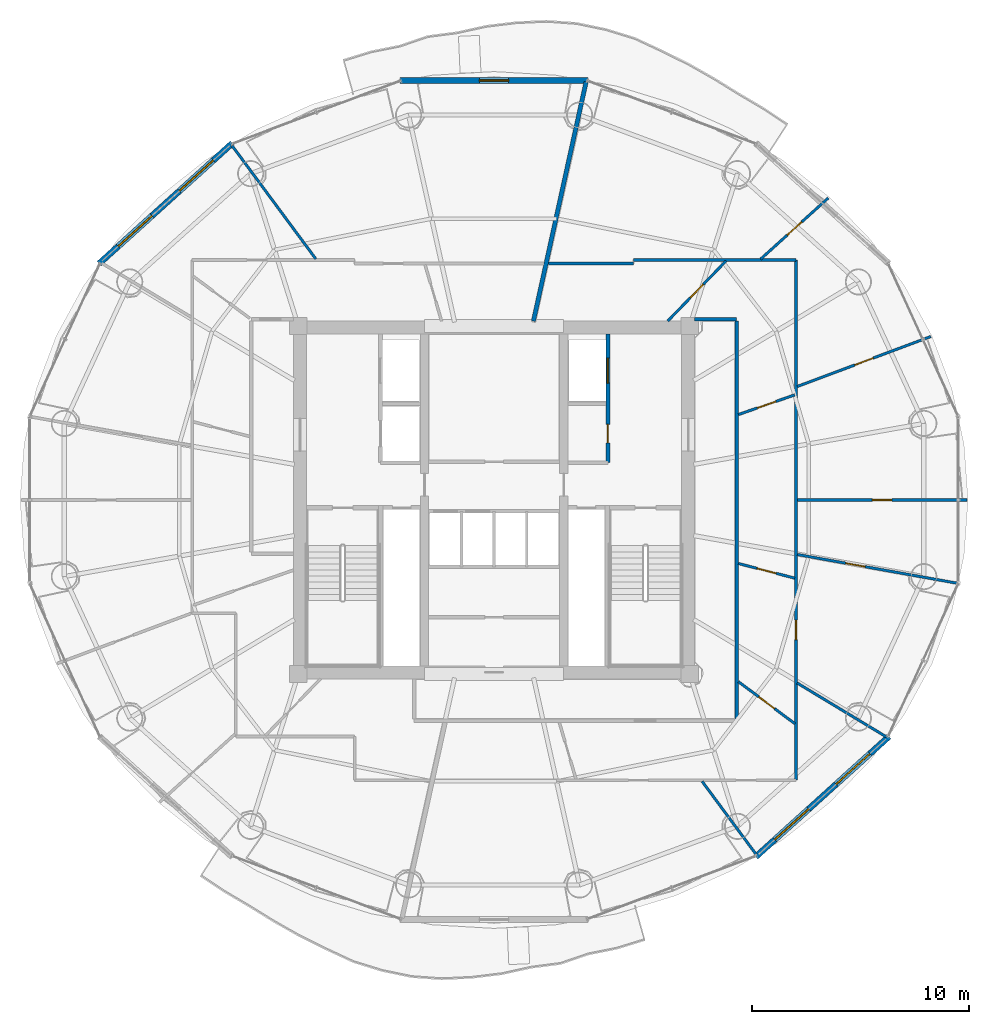
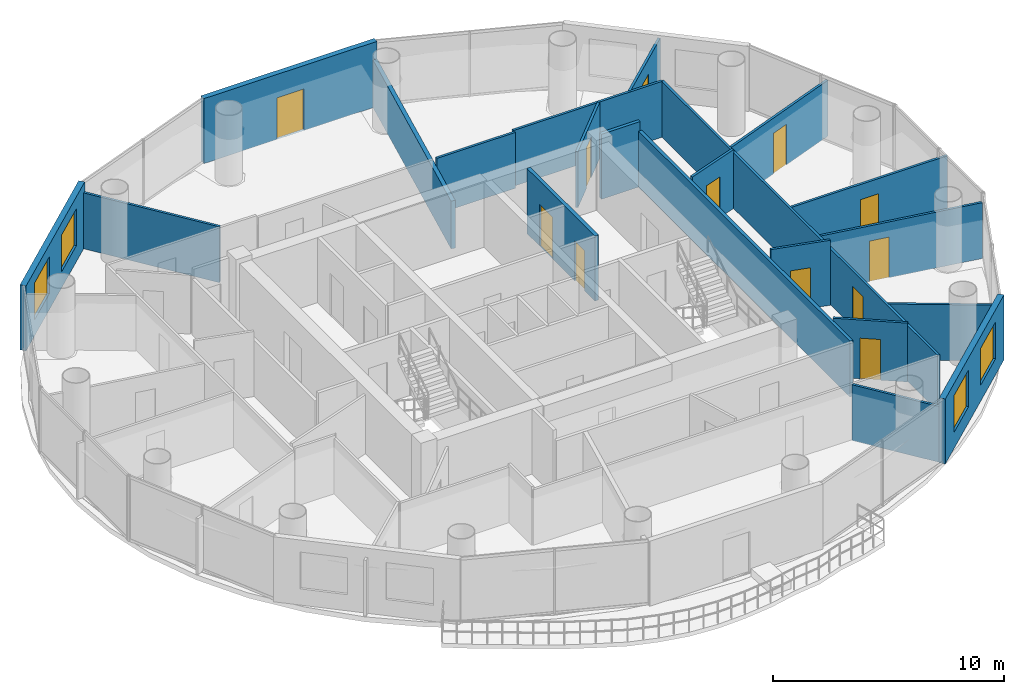
# One storey, part 22 of 26: 21 walls, 12 doors, 4 windows, 16 openings.
"""IFC4 building model written with IfcOpenShell, lengths in metres."""

from ifc_helpers import new_model, si_unit, direction, frame, frame_2d, origin, place, context, subcontext, project, spatial, rectangle, extrude, source, transform, mapped, material, layer, layer_set, type_object, element, fill, save


model = new_model("IFC4")

# Units and contexts
model_context = context("Model", 3, precision=1e-05, world=origin(), true_north=direction((-0.2419218956, 0.970295726276)))
body_context = subcontext(model_context, "Body", "Model", "MODEL_VIEW")
ifc_project = project(units=[si_unit("LENGTHUNIT", "METRE"), si_unit("AREAUNIT", "SQUARE_METRE"), si_unit("VOLUMEUNIT", "CUBIC_METRE"), si_unit("PLANEANGLEUNIT", "RADIAN"), si_unit("MASSUNIT", "GRAM", prefix="KILO")], contexts=[model_context])

# Site, building, storey
site_placement = place(None, origin())
site = spatial("IfcSite", under=ifc_project, at=site_placement, CompositionType="ELEMENT")
building_placement = place(site_placement, origin())
building = spatial("IfcBuilding", under=site, at=building_placement, Name="Cobrevalo Terracotta Tower", CompositionType="ELEMENT")
storey_placement = place(building_placement, frame((0.0, 0.0, 224.5)))
storey = spatial("IfcBuildingStorey", under=building, at=storey_placement, Name="L59", CompositionType="ELEMENT", Elevation=224.5)

# Walls
ifc_material_1 = material(Name="Gypsum board on steel stud", Category="steel")
ifc_layer_1 = layer(ifc_material_1, 0.159912109375)
ifc_layer_set_1 = layer_set([ifc_layer_1], Name="Gypsum board on steel stud")
wall_type_1 = type_object("IfcWallType", Name="Fire-rated corridor acoustic partition wall 160 mm", PredefinedType="PARTITIONING", material=ifc_layer_set_1)
wall_1_placement = place(storey_placement, frame((49.155029296875, 16.72509765625, 0.0), z_axis=(0.0, 0.0, 1.0), x_axis=(0.0, 1.0, 0.0)))
element("IfcWall", 1, at=wall_1_placement, inside=storey, type_object=wall_type_1, Name="L59 interior partition IW-L59-COR-E", PredefinedType="PARTITIONING", context=body_context, shape_type="SweptSolid", body=[
    extrude(rectangle(XDim=18.2998046875, YDim=0.159912109375, at=frame_2d((9.14990234375, 0.0))), origin(), (0.0, 0.0, 1.0), 2.950927734375),
])
wall_2_placement = place(storey_placement, frame((47.22509765625, 35.10498046875, 0.0), z_axis=(0.0, 0.0, 1.0), x_axis=(1.0, 0.0, 0.0)))
element("IfcWall", 2, at=wall_2_placement, inside=storey, type_object=wall_type_1, Name="L59 interior partition IW-L59-COR-EN-CAP", PredefinedType="PARTITIONING", context=body_context, shape_type="SweptSolid", body=[
    extrude(rectangle(XDim=1.929931640625, YDim=0.159912109375, at=frame_2d((0.96484375, 0.0))), origin(), (0.0, 0.0, 1.0), 3.43505859375),
])

# Wall, openings, doors
ifc_layer_2 = layer(ifc_material_1, 0.179931640625)
ifc_layer_set_2 = layer_set([ifc_layer_2], Name="Gypsum board on steel stud")
wall_type_2 = type_object("IfcWallType", Name="Fire-rated shaft & lobby acoustic partition wall 180 mm", PredefinedType="PARTITIONING", material=ifc_layer_set_2)
wall_3_placement = place(storey_placement, frame((43.22998046875, 28.52001953125, 0.0), z_axis=(0.0, 0.0, 1.0), x_axis=(0.0, 1.0, 0.0)))
wall_3 = element("IfcWall", 3, at=wall_3_placement, inside=storey, type_object=wall_type_2, Name="L59 interior partition IW-L59-FF2-E", PredefinedType="PARTITIONING", context=body_context, shape_type="SweptSolid", body=[
    extrude(rectangle(XDim=5.905029296875, YDim=0.179931640625, at=frame_2d((2.95263671875, 0.0))), origin(), (0.0, 0.0, 1.0), 3.43505859375),
])
opening_1_placement = place(wall_3_placement, frame((0.905029296875, 0.0, 0.0)))
opening_1 = element("IfcOpeningElement", 4, at=opening_1_placement, cuts=wall_3, Name="Opening ID-22", PredefinedType="OPENING", context=body_context, shape_type="SweptSolid", body=[
    extrude(rectangle(XDim=0.85009765625, YDim=2.10009765625, at=frame_2d((0.425048828125, 1.050048828125))), frame((0.0, 0.10009765625, 0.0), z_axis=(0.0, -1.0, 0.0), x_axis=(1.0, 0.0, 0.0)), (0.0, 0.0, 1.0), 0.199951171875),
])
opening_2_placement = place(wall_3_placement, frame((3.655029296875, 0.0, 0.0)))
opening_2 = element("IfcOpeningElement", 5, at=opening_2_placement, cuts=wall_3, Name="Opening LD-02", PredefinedType="OPENING", context=body_context, shape_type="SweptSolid", body=[
    extrude(rectangle(XDim=1.14990234375, YDim=2.199951171875, at=frame_2d((0.574951171875, 1.10009765625))), frame((0.0, 0.10009765625, 0.0), z_axis=(0.0, -1.0, 0.0), x_axis=(1.0, 0.0, 0.0)), (0.0, 0.0, 1.0), 0.199951171875),
])
ifc_material_2 = material(Name="Powder-coated steel", Category="steel")
door_type_1 = type_object("IfcDoorType", Name="Riser shaft & meter closet fire access door 850x2100 EI 60", OperationType="NOTDEFINED", PredefinedType="DOOR", material=ifc_material_2)
shared_shape_1 = source(origin(), body_context, "Body", "SweptSolid", [
    extrude(rectangle(XDim=0.85009765625, YDim=2.10009765625, at=frame_2d((0.425048828125, 1.050048828125))), frame((0.0, 0.02490234375, 0.0), z_axis=(0.0, -1.0, 0.0), x_axis=(1.0, 0.0, 0.0)), (0.0, 0.0, 1.0), 0.050048828125),
])
door_1_placement = place(opening_1_placement, frame((0.85009765625, 0.0, 0.0), z_axis=(0.0, 0.0, 1.0), x_axis=(-1.0, 0.0, 0.0)))
door_1 = element("IfcDoor", 6, at=door_1_placement, inside=storey, type_object=door_type_1, Name="L59 housekeeping store door", OperationType="SINGLE_SWING_RIGHT", OverallHeight=2.10009765625, OverallWidth=0.85009765625, PredefinedType="DOOR", context=body_context, shape_type="MappedRepresentation", body=[
    mapped(shared_shape_1, transform((0.0, 0.0, 0.0), scale=1.0)),
])
fill(opening_1, door_1)
ifc_material_3 = material(Name="Brushed stainless steel", Category="steel")
door_type_2 = type_object("IfcDoorType", Name="Firefighting lift landing bi-parting sliding door 1150x2200 EI 120", OperationType="DOUBLE_DOOR_SLIDING", PredefinedType="DOOR", material=ifc_material_3)
shared_shape_2 = source(origin(), body_context, "Body", "SweptSolid", [
    extrude(rectangle(XDim=1.14990234375, YDim=2.199951171875, at=frame_2d((0.574951171875, 1.10009765625))), frame((0.0, 0.02490234375, 0.0), z_axis=(0.0, -1.0, 0.0), x_axis=(1.0, 0.0, 0.0)), (0.0, 0.0, 1.0), 0.050048828125),
])
door_2_placement = place(opening_2_placement, origin())
door_2 = element("IfcDoor", 7, at=door_2_placement, inside=storey, type_object=door_type_2, Name="L59 lift landing door FF-2", OperationType="DOUBLE_DOOR_SLIDING", OverallHeight=2.199951171875, OverallWidth=1.14990234375, PredefinedType="DOOR", context=body_context, shape_type="MappedRepresentation", body=[
    mapped(shared_shape_2, transform((0.0, 0.0, 0.0), scale=1.0)),
])
fill(opening_2, door_2)

# Wall
ifc_material_4 = material(Name="Autoclaved aerated concrete block", Category="concrete")
ifc_layer_3 = layer(ifc_material_4, 0.199951171875)
ifc_layer_set_3 = layer_set([ifc_layer_3], Name="Autoclaved aerated concrete block")
wall_type_3 = type_object("IfcWallType", Name="Fire-rated stair, shaft & demising masonry wall 200 mm", PredefinedType="PARTITIONING", material=ifc_layer_set_3)
wall_4_placement = place(storey_placement, frame((39.810791015625, 35.02685546875, 0.0), z_axis=(0.0, 0.0, 1.0), x_axis=(0.214966857327, 0.976621344356, 0.0)))
element("IfcWall", 8, at=wall_4_placement, inside=storey, type_object=wall_type_3, Name="L59 interior partition IW-L59-DEM-1", PredefinedType="PARTITIONING", context=body_context, shape_type="SweptSolid", body=[
    extrude(rectangle(XDim=11.25830078125, YDim=0.199951171875, at=frame_2d((5.629150390625, 0.0))), origin(), (0.0, 0.0, 1.0), 2.52001953125),
])

# Wall, openings, windows
ifc_layer_4 = layer(ifc_material_4, 0.280029296875)
ifc_layer_set_4 = layer_set([ifc_layer_4], Name="Autoclaved aerated concrete block")
wall_type_4 = type_object("IfcWallType", Name="Insulated tower spandrel & pier wall 280 mm with terracotta rainscreen", PredefinedType="SOLIDWALL", material=ifc_layer_set_4)
wall_5_placement = place(storey_placement, frame((25.964599609375, 43.208740234375, 0.0), z_axis=(0.0, 0.0, 1.0), x_axis=(-0.741972126783, -0.670430729514, 0.0)))
wall_5 = element("IfcWall", 9, at=wall_5_placement, inside=storey, type_object=wall_type_4, Name="L59 terracotta rainscreen pier wall S06", PredefinedType="SOLIDWALL", context=body_context, shape_type="SweptSolid", body=[
    extrude(rectangle(XDim=8.255126953125, YDim=0.280029296875, at=frame_2d((4.12744140625, 0.0))), origin(), (0.0, 0.0, 1.0), 3.43505859375),
])
opening_3_placement = place(wall_5_placement, frame((1.1787109375, 0.0, 0.85009765625)))
opening_3 = element("IfcOpeningElement", 10, at=opening_3_placement, cuts=wall_5, Name="Opening WN-10", PredefinedType="OPENING", context=body_context, shape_type="SweptSolid", body=[
    extrude(rectangle(XDim=2.10009765625, YDim=1.949951171875, at=frame_2d((1.050048828125, 0.97509765625))), frame((0.0, 0.14990234375, 0.0), z_axis=(0.0, -1.0, 0.0), x_axis=(1.0, 0.0, 0.0)), (0.0, 0.0, 1.0), 0.300048828125),
])
opening_4_placement = place(wall_5_placement, frame((4.97607421875, 0.0, 0.85009765625)))
opening_4 = element("IfcOpeningElement", 11, at=opening_4_placement, cuts=wall_5, Name="Opening WN-10", PredefinedType="OPENING", context=body_context, shape_type="SweptSolid", body=[
    extrude(rectangle(XDim=2.10009765625, YDim=1.949951171875, at=frame_2d((1.050048828125, 0.97509765625))), frame((0.0, 0.14990234375, 0.0), z_axis=(0.0, -1.0, 0.0), x_axis=(1.0, 0.0, 0.0)), (0.0, 0.0, 1.0), 0.300048828125),
])
ifc_material_5 = material(Name="Solar-control low-E double glazing", Category="glass")
window_type = type_object("IfcWindowType", Name="Wide panoramic low-E aluminium window 2100x1950", PartitioningType="SINGLE_PANEL", PredefinedType="WINDOW", material=ifc_material_5)
shared_shape_3 = source(origin(), body_context, "Body", "SweptSolid", [
    extrude(rectangle(XDim=2.10009765625, YDim=1.949951171875, at=frame_2d((1.050048828125, 0.97509765625))), frame((0.0, 0.030029296875, 0.0), z_axis=(0.0, -1.0, 0.0), x_axis=(1.0, 0.0, 0.0)), (0.0, 0.0, 1.0), 0.06005859375),
])
window_1_placement = place(opening_3_placement, origin())
window_1 = element("IfcWindow", 12, at=window_1_placement, inside=storey, type_object=window_type, Name="L59 suite window S06A", OverallHeight=1.949951171875, OverallWidth=2.10009765625, PartitioningType="SINGLE_PANEL", PredefinedType="WINDOW", context=body_context, shape_type="MappedRepresentation", body=[
    mapped(shared_shape_3, transform((0.0, 0.0, 0.0), scale=1.0)),
])
fill(opening_3, window_1)
window_2_placement = place(opening_4_placement, origin())
window_2 = element("IfcWindow", 13, at=window_2_placement, inside=storey, type_object=window_type, Name="L59 suite window S06B", OverallHeight=1.949951171875, OverallWidth=2.10009765625, PartitioningType="SINGLE_PANEL", PredefinedType="WINDOW", context=body_context, shape_type="MappedRepresentation", body=[
    mapped(shared_shape_3, transform((0.0, 0.0, 0.0), scale=1.0)),
])
fill(opening_4, window_2)

wall_6_placement = place(storey_placement, frame((50.035400390625, 10.391357421875, 0.0), z_axis=(0.0, 0.0, 1.0), x_axis=(0.741986838603, 0.670414447443, 0.0)))
wall_6 = element("IfcWall", 14, at=wall_6_placement, inside=storey, type_object=wall_type_4, Name="L59 terracotta rainscreen pier wall S14", PredefinedType="SOLIDWALL", context=body_context, shape_type="SweptSolid", body=[
    extrude(rectangle(XDim=8.2548828125, YDim=0.280029296875, at=frame_2d((4.12744140625, 0.0))), origin(), (0.0, 0.0, 1.0), 3.43505859375),
])
opening_5_placement = place(wall_6_placement, frame((1.1787109375, 0.0, 0.85009765625)))
opening_5 = element("IfcOpeningElement", 15, at=opening_5_placement, cuts=wall_6, Name="Opening WN-10", PredefinedType="OPENING", context=body_context, shape_type="SweptSolid", body=[
    extrude(rectangle(XDim=2.10009765625, YDim=1.949951171875, at=frame_2d((1.050048828125, 0.97509765625))), frame((0.0, 0.14990234375, 0.0), z_axis=(0.0, -1.0, 0.0), x_axis=(1.0, 0.0, 0.0)), (0.0, 0.0, 1.0), 0.300048828125),
])
opening_6_placement = place(wall_6_placement, frame((4.97607421875, 0.0, 0.85009765625)))
opening_6 = element("IfcOpeningElement", 16, at=opening_6_placement, cuts=wall_6, Name="Opening WN-10", PredefinedType="OPENING", context=body_context, shape_type="SweptSolid", body=[
    extrude(rectangle(XDim=2.10009765625, YDim=1.949951171875, at=frame_2d((1.050048828125, 0.97509765625))), frame((0.0, 0.14990234375, 0.0), z_axis=(0.0, -1.0, 0.0), x_axis=(1.0, 0.0, 0.0)), (0.0, 0.0, 1.0), 0.300048828125),
])
window_3_placement = place(opening_5_placement, origin())
window_3 = element("IfcWindow", 17, at=window_3_placement, inside=storey, type_object=window_type, Name="L59 suite window S14A", OverallHeight=1.949951171875, OverallWidth=2.10009765625, PartitioningType="SINGLE_PANEL", PredefinedType="WINDOW", context=body_context, shape_type="MappedRepresentation", body=[
    mapped(shared_shape_3, transform((0.0, 0.0, 0.0), scale=1.0)),
])
fill(opening_5, window_3)
window_4_placement = place(opening_6_placement, origin())
window_4 = element("IfcWindow", 18, at=window_4_placement, inside=storey, type_object=window_type, Name="L59 suite window S14B", OverallHeight=1.949951171875, OverallWidth=2.10009765625, PartitioningType="SINGLE_PANEL", PredefinedType="WINDOW", context=body_context, shape_type="MappedRepresentation", body=[
    mapped(shared_shape_3, transform((0.0, 0.0, 0.0), scale=1.0)),
])
fill(opening_6, window_4)

# Wall, opening, door
ifc_layer_5 = layer(ifc_material_4, 0.260009765625)
ifc_layer_set_5 = layer_set([ifc_layer_5], Name="Autoclaved aerated concrete block")
wall_type_5 = type_object("IfcWallType", Name="Recessed balcony loggia insulated exterior wall 260 mm", PredefinedType="SOLIDWALL", material=ifc_layer_set_5)
wall_7_placement = place(storey_placement, frame((42.3271484375, 46.092041015625, 0.0), z_axis=(0.0, 0.0, 1.0), x_axis=(-1.0, 0.0, 0.0)))
wall_7 = element("IfcWall", 19, at=wall_7_placement, inside=storey, type_object=wall_type_5, Name="L59 balcony loggia wall S04", PredefinedType="SOLIDWALL", context=body_context, shape_type="SweptSolid", body=[
    extrude(rectangle(XDim=8.654296875, YDim=0.260009765625, at=frame_2d((4.3271484375, 0.0))), origin(), (0.0, 0.0, 1.0), 3.43505859375),
])
opening_7_placement = place(wall_7_placement, frame((3.652099609375, 0.0, 0.0)))
opening_7 = element("IfcOpeningElement", 20, at=opening_7_placement, cuts=wall_7, Name="Opening ED-05", PredefinedType="OPENING", context=body_context, shape_type="SweptSolid", body=[
    extrude(rectangle(XDim=1.35009765625, YDim=2.199951171875, at=frame_2d((0.675048828125, 1.10009765625))), frame((0.0, 0.14013671875, 0.0), z_axis=(0.0, -1.0, 0.0), x_axis=(1.0, 0.0, 0.0)), (0.0, 0.0, 1.0), 0.280029296875),
])
ifc_material_6 = material(Name="Anodized aluminium and laminated glass", Category="aluminium")
door_type_3 = type_object("IfcDoorType", Name="Suite balcony acoustic glazed terrace door 1350x2200", OperationType="NOTDEFINED", PredefinedType="DOOR", material=ifc_material_6)
shared_shape_4 = source(origin(), body_context, "Body", "SweptSolid", [
    extrude(rectangle(XDim=1.35009765625, YDim=2.199951171875, at=frame_2d((0.675048828125, 1.10009765625))), frame((0.0, 0.02490234375, 0.0), z_axis=(0.0, -1.0, 0.0), x_axis=(1.0, 0.0, 0.0)), (0.0, 0.0, 1.0), 0.050048828125),
])
door_3_placement = place(opening_7_placement, frame((1.35009765625, 0.0, 0.0), z_axis=(0.0, 0.0, 1.0), x_axis=(-1.0, 0.0, 0.0)))
door_3 = element("IfcDoor", 21, at=door_3_placement, inside=storey, type_object=door_type_3, Name="L59 glazed balcony terrace door 1", OperationType="SINGLE_SWING_LEFT", OverallHeight=2.199951171875, OverallWidth=1.35009765625, PredefinedType="DOOR", context=body_context, shape_type="MappedRepresentation", body=[
    mapped(shared_shape_4, transform((0.0, 0.0, 0.0), scale=1.0)),
])
fill(opening_7, door_3)

# Walls
ifc_layer_6 = layer(ifc_material_1, 0.1201171875)
ifc_layer_set_6 = layer_set([ifc_layer_6], Name="Gypsum board on steel stud")
wall_type_6 = type_object("IfcWallType", Name="Residential internal acoustic stud partition 120 mm", PredefinedType="PARTITIONING", material=ifc_layer_set_6)
wall_8_placement = place(storey_placement, frame((29.8037109375, 37.884765625, 0.0), z_axis=(0.0, 0.0, 1.0), x_axis=(-0.594507557292, 0.804090022524, 0.0)))
element("IfcWall", 22, at=wall_8_placement, inside=storey, type_object=wall_type_6, Name="L59 interior partition IW-L59-U1-ORAD1", PredefinedType="PARTITIONING", context=body_context, shape_type="SweptSolid", body=[
    extrude(rectangle(XDim=6.4814453125, YDim=0.1201171875, at=frame_2d((3.24072265625, 0.0))), origin(), (0.0, 0.0, 1.0), 2.950927734375),
])
wall_9_placement = place(storey_placement, frame((40.495849609375, 37.675048828125, 0.0), z_axis=(0.0, 0.0, 1.0), x_axis=(1.0, 0.0, 0.0)))
element("IfcWall", 23, at=wall_9_placement, inside=storey, type_object=wall_type_6, Name="L59 interior partition IW-L59-U2-RING0_0", PredefinedType="PARTITIONING", context=body_context, shape_type="SweptSolid", body=[
    extrude(rectangle(XDim=3.919189453125, YDim=0.1201171875, at=frame_2d((1.95947265625, 0.0))), origin(), (0.0, 0.0, 1.0), 2.950927734375),
])
wall_10_placement = place(storey_placement, frame((44.4150390625, 37.8349609375, 0.0), z_axis=(0.0, 0.0, 1.0), x_axis=(1.0, 0.0, 0.0)))
element("IfcWall", 24, at=wall_10_placement, inside=storey, type_object=wall_type_6, Name="L59 interior partition IW-L59-U2-RING2_0", PredefinedType="PARTITIONING", context=body_context, shape_type="SweptSolid", body=[
    extrude(rectangle(XDim=7.469970703125, YDim=0.1201171875, at=frame_2d((3.73486328125, 0.0))), origin(), (0.0, 0.0, 1.0), 2.950927734375),
])

# Wall, opening, door
wall_11_placement = place(storey_placement, frame((51.885009765625, 37.8349609375, 0.0), z_axis=(0.0, 0.0, 1.0), x_axis=(0.0, -1.0, 0.0)))
wall_11 = element("IfcWall", 25, at=wall_11_placement, inside=storey, type_object=wall_type_6, Name="L59 interior partition IW-L59-U2-RING3_0", PredefinedType="PARTITIONING", context=body_context, shape_type="SweptSolid", body=[
    extrude(rectangle(XDim=23.919921875, YDim=0.1201171875, at=frame_2d((11.9599609375, 0.0))), origin(), (0.0, 0.0, 1.0), 2.950927734375),
])
opening_8_placement = place(wall_11_placement, frame((16.55810546875, 0.0, 0.0)))
opening_8 = element("IfcOpeningElement", 26, at=opening_8_placement, cuts=wall_11, Name="Opening ID-12", PredefinedType="OPENING", context=body_context, shape_type="SweptSolid", body=[
    extrude(rectangle(XDim=0.89990234375, YDim=2.14990234375, at=frame_2d((0.449951171875, 1.074951171875))), frame((0.0, 0.070068359375, 0.0), z_axis=(0.0, -1.0, 0.0), x_axis=(1.0, 0.0, 0.0)), (0.0, 0.0, 1.0), 0.14013671875),
])
ifc_material_7 = material(Name="Engineered timber", Category="wood")
door_type_4 = type_object("IfcDoorType", Name="Internal residence & suite timber door 900x2150", OperationType="NOTDEFINED", PredefinedType="DOOR", material=ifc_material_7)
shared_shape_5 = source(origin(), body_context, "Body", "SweptSolid", [
    extrude(rectangle(XDim=0.89990234375, YDim=2.14990234375, at=frame_2d((0.449951171875, 1.074951171875))), frame((0.0, 0.02490234375, 0.0), z_axis=(0.0, -1.0, 0.0), x_axis=(1.0, 0.0, 0.0)), (0.0, 0.0, 1.0), 0.050048828125),
])
door_4_placement = place(opening_8_placement, origin())
door_4 = element("IfcDoor", 27, at=door_4_placement, inside=storey, type_object=door_type_4, Name="Flat L59B Principal Guest Bedroom internal door", OperationType="SINGLE_SWING_LEFT", OverallHeight=2.14990234375, OverallWidth=0.89990234375, PredefinedType="DOOR", context=body_context, shape_type="MappedRepresentation", body=[
    mapped(shared_shape_5, transform((0.0, 0.0, 0.0), scale=1.0)),
])
fill(opening_8, door_4)

# Walls
wall_12_placement = place(storey_placement, frame((47.564208984375, 13.865234375, 0.0), z_axis=(0.0, 0.0, 1.0), x_axis=(0.594501071103, -0.804094818076, 0.0)))
element("IfcWall", 28, at=wall_12_placement, inside=storey, type_object=wall_type_6, Name="L59 interior partition IW-L59-U2-ORAD1", PredefinedType="PARTITIONING", context=body_context, shape_type="SweptSolid", body=[
    extrude(rectangle(XDim=4.1806640625, YDim=0.1201171875, at=frame_2d((2.09033203125, 0.0))), origin(), (0.0, 0.0, 1.0), 2.950927734375),
])
wall_13_placement = place(storey_placement, frame((51.93798828125, 18.384033203125, 0.0), z_axis=(0.0, 0.0, 1.0), x_axis=(0.856058483833, -0.516878972543, 0.0)))
element("IfcWall", 29, at=wall_13_placement, inside=storey, type_object=wall_type_6, Name="L59 interior partition IW-L59-U2-ORAD2", PredefinedType="PARTITIONING", context=body_context, shape_type="SweptSolid", body=[
    extrude(rectangle(XDim=4.78662109375, YDim=0.1201171875, at=frame_2d((2.393310546875, 0.0))), origin(), (0.0, 0.0, 1.0), 2.950927734375),
])

# Wall, opening, door
wall_14_placement = place(storey_placement, frame((51.946044921875, 24.293212890625, 0.0), z_axis=(0.0, 0.0, 1.0), x_axis=(0.984227185588, -0.176909149424, 0.0)))
wall_14 = element("IfcWall", 30, at=wall_14_placement, inside=storey, type_object=wall_type_6, Name="L59 interior partition IW-L59-U2-ORAD3", PredefinedType="PARTITIONING", context=body_context, shape_type="SweptSolid", body=[
    extrude(rectangle(XDim=7.447998046875, YDim=0.1201171875, at=frame_2d((3.72412109375, 0.0))), origin(), (0.0, 0.0, 1.0), 2.950927734375),
])
opening_9_placement = place(wall_14_placement, frame((2.263916015625, 0.0, 0.0)))
opening_9 = element("IfcOpeningElement", 31, at=opening_9_placement, cuts=wall_14, Name="Opening ID-12", PredefinedType="OPENING", context=body_context, shape_type="SweptSolid", body=[
    extrude(rectangle(XDim=0.89990234375, YDim=2.14990234375, at=frame_2d((0.449951171875, 1.074951171875))), frame((0.0, 0.070068359375, 0.0), z_axis=(0.0, -1.0, 0.0), x_axis=(1.0, 0.0, 0.0)), (0.0, 0.0, 1.0), 0.14013671875),
])
door_5_placement = place(opening_9_placement, origin())
door_5 = element("IfcDoor", 32, at=door_5_placement, inside=storey, type_object=door_type_4, Name="Flat L59B North Bedroom internal door", OperationType="SINGLE_SWING_RIGHT", OverallHeight=2.14990234375, OverallWidth=0.89990234375, PredefinedType="DOOR", context=body_context, shape_type="MappedRepresentation", body=[
    mapped(shared_shape_5, transform((0.0, 0.0, 0.0), scale=1.0)),
])
fill(opening_9, door_5)

wall_15_placement = place(storey_placement, frame((51.947021484375, 26.800048828125, 0.0), z_axis=(0.0, 0.0, 1.0), x_axis=(1.0, 0.0, 0.0)))
wall_15 = element("IfcWall", 33, at=wall_15_placement, inside=storey, type_object=wall_type_6, Name="L59 interior partition IW-L59-U2-ORAD4M1", PredefinedType="PARTITIONING", context=body_context, shape_type="SweptSolid", body=[
    extrude(rectangle(XDim=7.79296875, YDim=0.1201171875, at=frame_2d((3.896484375, 0.0))), origin(), (0.0, 0.0, 1.0), 2.950927734375),
])
opening_10_placement = place(wall_15_placement, frame((3.446533203125, 0.0, 0.0)))
opening_10 = element("IfcOpeningElement", 34, at=opening_10_placement, cuts=wall_15, Name="Opening ID-12", PredefinedType="OPENING", context=body_context, shape_type="SweptSolid", body=[
    extrude(rectangle(XDim=0.89990234375, YDim=2.14990234375, at=frame_2d((0.449951171875, 1.074951171875))), frame((0.0, 0.070068359375, 0.0), z_axis=(0.0, -1.0, 0.0), x_axis=(1.0, 0.0, 0.0)), (0.0, 0.0, 1.0), 0.14013671875),
])
door_6_placement = place(opening_10_placement, origin())
door_6 = element("IfcDoor", 35, at=door_6_placement, inside=storey, type_object=door_type_4, Name="Flat L59B Principal Guest Bedroom internal door", OperationType="SINGLE_SWING_LEFT", OverallHeight=2.14990234375, OverallWidth=0.89990234375, PredefinedType="DOOR", context=body_context, shape_type="MappedRepresentation", body=[
    mapped(shared_shape_5, transform((0.0, 0.0, 0.0), scale=1.0)),
])
fill(opening_10, door_6)

wall_16_placement = place(storey_placement, frame((51.943115234375, 32.01904296875, 0.0), z_axis=(0.0, 0.0, 1.0), x_axis=(0.936540194592, 0.350560214389, 0.0)))
wall_16 = element("IfcWall", 36, at=wall_16_placement, inside=storey, type_object=wall_type_6, Name="L59 interior partition IW-L59-U2-ORAD4", PredefinedType="PARTITIONING", context=body_context, shape_type="SweptSolid", body=[
    extrude(rectangle(XDim=6.55615234375, YDim=0.1201171875, at=frame_2d((3.278076171875, 0.0))), origin(), (0.0, 0.0, 1.0), 2.950927734375),
])
opening_11_placement = place(wall_16_placement, frame((2.828125, 0.0, 0.0)))
opening_11 = element("IfcOpeningElement", 37, at=opening_11_placement, cuts=wall_16, Name="Opening ID-12", PredefinedType="OPENING", context=body_context, shape_type="SweptSolid", body=[
    extrude(rectangle(XDim=0.89990234375, YDim=2.14990234375, at=frame_2d((0.449951171875, 1.074951171875))), frame((0.0, 0.070068359375, 0.0), z_axis=(0.0, -1.0, 0.0), x_axis=(1.0, 0.0, 0.0)), (0.0, 0.0, 1.0), 0.14013671875),
])
door_7_placement = place(opening_11_placement, origin())
door_7 = element("IfcDoor", 38, at=door_7_placement, inside=storey, type_object=door_type_4, Name="Flat L59B Penthouse Family Lounge internal door", OperationType="SINGLE_SWING_RIGHT", OverallHeight=2.14990234375, OverallWidth=0.89990234375, PredefinedType="DOOR", context=body_context, shape_type="MappedRepresentation", body=[
    mapped(shared_shape_5, transform((0.0, 0.0, 0.0), scale=1.0)),
])
fill(opening_11, door_7)

wall_17_placement = place(storey_placement, frame((50.25732421875, 37.87646484375, 0.0), z_axis=(0.0, 0.0, 1.0), x_axis=(0.741943837234, 0.670462036502, 0.0)))
wall_17 = element("IfcWall", 39, at=wall_17_placement, inside=storey, type_object=wall_type_6, Name="L59 interior partition IW-L59-U2-ORAD5", PredefinedType="PARTITIONING", context=body_context, shape_type="SweptSolid", body=[
    extrude(rectangle(XDim=4.194091796875, YDim=0.1201171875, at=frame_2d((2.09716796875, 0.0))), origin(), (0.0, 0.0, 1.0), 2.950927734375),
])
opening_12_placement = place(wall_17_placement, frame((1.64697265625, 0.0, 0.0)))
opening_12 = element("IfcOpeningElement", 40, at=opening_12_placement, cuts=wall_17, Name="Opening ID-12", PredefinedType="OPENING", context=body_context, shape_type="SweptSolid", body=[
    extrude(rectangle(XDim=0.89990234375, YDim=2.14990234375, at=frame_2d((0.449951171875, 1.074951171875))), frame((0.0, 0.070068359375, 0.0), z_axis=(0.0, -1.0, 0.0), x_axis=(1.0, 0.0, 0.0)), (0.0, 0.0, 1.0), 0.14013671875),
])
door_8_placement = place(opening_12_placement, origin())
door_8 = element("IfcDoor", 41, at=door_8_placement, inside=storey, type_object=door_type_4, Name="Flat L59B Private Cinema Room internal door", OperationType="SINGLE_SWING_LEFT", OverallHeight=2.14990234375, OverallWidth=0.89990234375, PredefinedType="DOOR", context=body_context, shape_type="MappedRepresentation", body=[
    mapped(shared_shape_5, transform((0.0, 0.0, 0.0), scale=1.0)),
])
fill(opening_12, door_8)

wall_18_placement = place(storey_placement, frame((49.236572265625, 18.4443359375, 0.0), z_axis=(0.0, 0.0, 1.0), x_axis=(0.802454010275, -0.596713969497, 0.0)))
wall_18 = element("IfcWall", 42, at=wall_18_placement, inside=storey, type_object=wall_type_6, Name="L59 interior partition IW-L59-U2-IRAD2", PredefinedType="PARTITIONING", context=body_context, shape_type="SweptSolid", body=[
    extrude(rectangle(XDim=3.23828125, YDim=0.1201171875, at=frame_2d((1.619140625, 0.0))), origin(), (0.0, 0.0, 1.0), 3.110107421875),
])
opening_13_placement = place(wall_18_placement, frame((1.169189453125, 0.0, 0.0)))
opening_13 = element("IfcOpeningElement", 43, at=opening_13_placement, cuts=wall_18, Name="Opening ID-12", PredefinedType="OPENING", context=body_context, shape_type="SweptSolid", body=[
    extrude(rectangle(XDim=0.89990234375, YDim=2.14990234375, at=frame_2d((0.449951171875, 1.074951171875))), frame((0.0, 0.070068359375, 0.0), z_axis=(0.0, -1.0, 0.0), x_axis=(1.0, 0.0, 0.0)), (0.0, 0.0, 1.0), 0.14013671875),
])
door_9_placement = place(opening_13_placement, origin())
door_9 = element("IfcDoor", 44, at=door_9_placement, inside=storey, type_object=door_type_4, Name="Flat L59B Kitchen internal door", OperationType="SINGLE_SWING_RIGHT", OverallHeight=2.14990234375, OverallWidth=0.89990234375, PredefinedType="DOOR", context=body_context, shape_type="MappedRepresentation", body=[
    mapped(shared_shape_5, transform((0.0, 0.0, 0.0), scale=1.0)),
])
fill(opening_13, door_9)

wall_19_placement = place(storey_placement, frame((49.237060546875, 23.878662109375, 0.0), z_axis=(0.0, 0.0, 1.0), x_axis=(0.967822506788, -0.251633851765, 0.0)))
wall_19 = element("IfcWall", 45, at=wall_19_placement, inside=storey, type_object=wall_type_6, Name="L59 interior partition IW-L59-U2-IRAD3", PredefinedType="PARTITIONING", context=body_context, shape_type="SweptSolid", body=[
    extrude(rectangle(XDim=2.673828125, YDim=0.1201171875, at=frame_2d((1.3369140625, 0.0))), origin(), (0.0, 0.0, 1.0), 3.43505859375),
])
opening_14_placement = place(wall_19_placement, frame((0.886962890625, 0.0, 0.0)))
opening_14 = element("IfcOpeningElement", 46, at=opening_14_placement, cuts=wall_19, Name="Opening ID-12", PredefinedType="OPENING", context=body_context, shape_type="SweptSolid", body=[
    extrude(rectangle(XDim=0.89990234375, YDim=2.14990234375, at=frame_2d((0.449951171875, 1.074951171875))), frame((0.0, 0.070068359375, 0.0), z_axis=(0.0, -1.0, 0.0), x_axis=(1.0, 0.0, 0.0)), (0.0, 0.0, 1.0), 0.14013671875),
])
door_10_placement = place(opening_14_placement, origin())
door_10 = element("IfcDoor", 47, at=door_10_placement, inside=storey, type_object=door_type_4, Name="Flat L59B Home Office Study internal door", OperationType="SINGLE_SWING_LEFT", OverallHeight=2.14990234375, OverallWidth=0.89990234375, PredefinedType="DOOR", context=body_context, shape_type="MappedRepresentation", body=[
    mapped(shared_shape_5, transform((0.0, 0.0, 0.0), scale=1.0)),
])
fill(opening_14, door_10)

wall_20_placement = place(storey_placement, frame((49.23681640625, 30.728515625, 0.0), z_axis=(0.0, 0.0, 1.0), x_axis=(0.94398177501, 0.329997588549, 0.0)))
wall_20 = element("IfcWall", 48, at=wall_20_placement, inside=storey, type_object=wall_type_6, Name="L59 interior partition IW-L59-U2-IRAD4", PredefinedType="PARTITIONING", context=body_context, shape_type="SweptSolid", body=[
    extrude(rectangle(XDim=2.7431640625, YDim=0.1201171875, at=frame_2d((1.37158203125, 0.0))), origin(), (0.0, 0.0, 1.0), 3.110107421875),
])
opening_15_placement = place(wall_20_placement, frame((0.921630859375, 0.0, 0.0)))
opening_15 = element("IfcOpeningElement", 49, at=opening_15_placement, cuts=wall_20, Name="Opening ID-12", PredefinedType="OPENING", context=body_context, shape_type="SweptSolid", body=[
    extrude(rectangle(XDim=0.89990234375, YDim=2.14990234375, at=frame_2d((0.449951171875, 1.074951171875))), frame((0.0, 0.070068359375, 0.0), z_axis=(0.0, -1.0, 0.0), x_axis=(1.0, 0.0, 0.0)), (0.0, 0.0, 1.0), 0.14013671875),
])
door_11_placement = place(opening_15_placement, origin())
door_11 = element("IfcDoor", 50, at=door_11_placement, inside=storey, type_object=door_type_4, Name="Flat L59B Utility Closet internal door", OperationType="SINGLE_SWING_RIGHT", OverallHeight=2.14990234375, OverallWidth=0.89990234375, PredefinedType="DOOR", context=body_context, shape_type="MappedRepresentation", body=[
    mapped(shared_shape_5, transform((0.0, 0.0, 0.0), scale=1.0)),
])
fill(opening_15, door_11)

wall_21_placement = place(storey_placement, frame((45.9833984375, 35.0263671875, 0.0), z_axis=(0.0, 0.0, 1.0), x_axis=(0.696410097703, 0.717644045344, 0.0)))
wall_21 = element("IfcWall", 51, at=wall_21_placement, inside=storey, type_object=wall_type_6, Name="L59 interior partition IW-L59-U2-IRAD5", PredefinedType="PARTITIONING", context=body_context, shape_type="SweptSolid", body=[
    extrude(rectangle(XDim=3.851806640625, YDim=0.1201171875, at=frame_2d((1.92578125, 0.0))), origin(), (0.0, 0.0, 1.0), 2.950927734375),
])
opening_16_placement = place(wall_21_placement, frame((1.495849609375, 0.0, 0.0)))
opening_16 = element("IfcOpeningElement", 52, at=opening_16_placement, cuts=wall_21, Name="Opening ID-19", PredefinedType="OPENING", context=body_context, shape_type="SweptSolid", body=[
    extrude(rectangle(XDim=0.860107421875, YDim=2.14990234375, at=frame_2d((0.43017578125, 1.074951171875))), frame((0.0, 0.070068359375, 0.0), z_axis=(0.0, -1.0, 0.0), x_axis=(1.0, 0.0, 0.0)), (0.0, 0.0, 1.0), 0.14013671875),
])
ifc_material_8 = material(Name="Moisture-sealed timber", Category="wood")
door_type_5 = type_object("IfcDoorType", Name="Suite bathroom internal timber door 860x2150", OperationType="NOTDEFINED", PredefinedType="DOOR", material=ifc_material_8)
shared_shape_6 = source(origin(), body_context, "Body", "SweptSolid", [
    extrude(rectangle(XDim=0.860107421875, YDim=2.14990234375, at=frame_2d((0.43017578125, 1.074951171875))), frame((0.0, 0.02490234375, 0.0), z_axis=(0.0, -1.0, 0.0), x_axis=(1.0, 0.0, 0.0)), (0.0, 0.0, 1.0), 0.050048828125),
])
door_12_placement = place(opening_16_placement, origin())
door_12 = element("IfcDoor", 53, at=door_12_placement, inside=storey, type_object=door_type_5, Name="Flat L59B Guest Bathroom internal door", OperationType="SINGLE_SWING_LEFT", OverallHeight=2.14990234375, OverallWidth=0.860107421875, PredefinedType="DOOR", context=body_context, shape_type="MappedRepresentation", body=[
    mapped(shared_shape_6, transform((0.0, 0.0, 0.0), scale=1.0)),
])
fill(opening_16, door_12)

save(model, "model.ifc")
